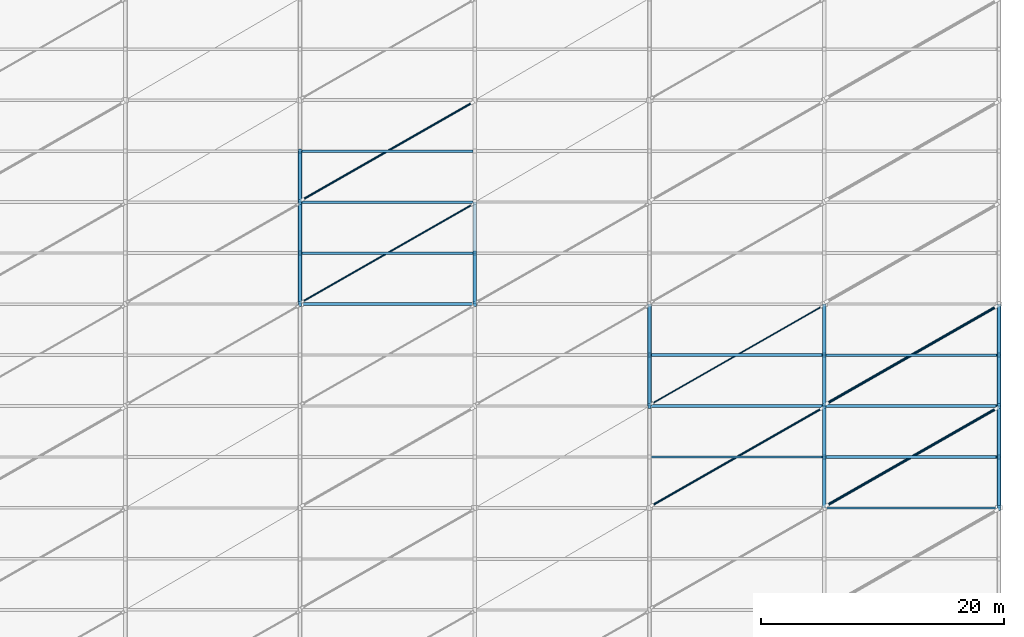
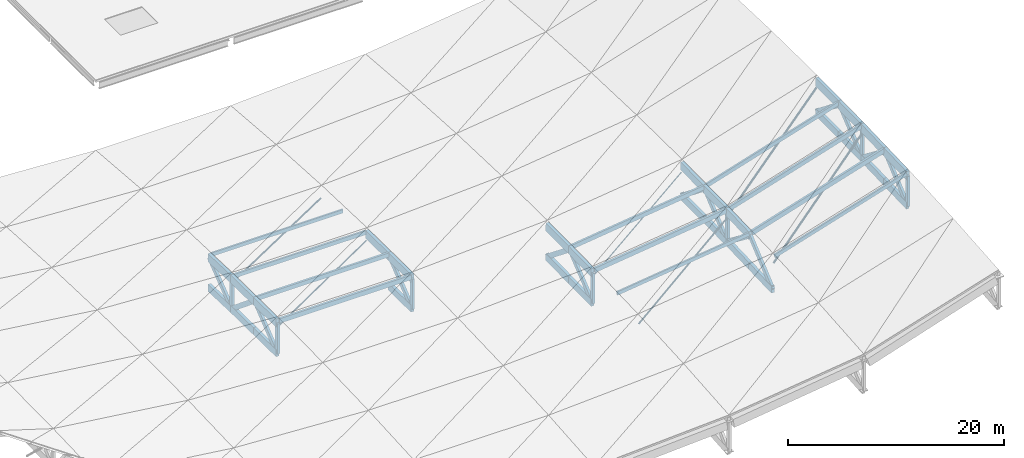
# One storey, part 7 of 22: 38 members, 28 beams.
"""IFC4 building model written with IfcOpenShell, lengths in metres."""

from ifc_helpers import new_model, si_unit, direction, frame, origin, origin_2d, place, context, subcontext, project, spatial, rectangle, hollow_circle, extrude, material, material_profile, profile_set, type_object, element, save


model = new_model("IFC4")

# Units and contexts
model_context = context("Model", 3, precision=1e-05, world=origin(), true_north=direction((0.0, 1.0)))
body_context = subcontext(model_context, "Body", "Model", "MODEL_VIEW")
ifc_project = project(units=[si_unit("LENGTHUNIT", "METRE"), si_unit("AREAUNIT", "SQUARE_METRE"), si_unit("VOLUMEUNIT", "CUBIC_METRE"), si_unit("PLANEANGLEUNIT", "RADIAN"), si_unit("MASSUNIT", "GRAM", prefix="KILO"), si_unit("THERMODYNAMICTEMPERATUREUNIT", "KELVIN")], contexts=[model_context])

# Site, building, storey
site_placement = place(None, origin())
site = spatial("IfcSite", under=ifc_project, at=site_placement, CompositionType="ELEMENT")
building_placement = place(site_placement, origin())
building = spatial("IfcBuilding", under=site, at=building_placement, Name="Nduvali Passage Aquatics Centre", CompositionType="ELEMENT")
storey_placement = place(building_placement, frame((0.0, 0.0, 21.60009765625)))
storey = spatial("IfcBuildingStorey", under=building, at=storey_placement, Name="RF", CompositionType="ELEMENT", Elevation=21.60009765625)

# Beams
ifc_material_1 = material(Name="Glulam GL32c", Category="wood")
ifc_material_profile_1 = material_profile(ifc_material_1, rectangle(XDim=0.320068359375, YDim=0.800048828125, at=origin_2d()), Name="GL32c 320x800")
ifc_profile_set_1 = profile_set([ifc_material_profile_1], Name="Glulam GL32c")
beam_type_1 = type_object("IfcBeamType", Name="STR-BM-GL32-BOT", PredefinedType="BEAM", material=ifc_profile_set_1)
for number, where, z_axis, x_axis, name in (
    (1, (68.39990234375, 58.800048828125, -10.349609375), (0.0, 0.999929005763, -0.011915680183), (-1.0, 0.0, 0.0), "RF Pool Hall Roof Truss Bottom Chord R4 BC1-1791"),
    (2, (68.39990234375, 63.0, -10.399658203125), (0.0, 0.999929005763, -0.011915680183), (-1.0, 0.0, 0.0), "RF Pool Hall Roof Truss Bottom Chord R4 BC1-1793"),
):
    element("IfcBeam", number, at=place(storey_placement, frame(where, z_axis=z_axis, x_axis=x_axis)), inside=storey, type_object=beam_type_1, Name=name, PredefinedType="BEAM", context=body_context, shape_type="SweptSolid", body=[
        extrude(rectangle(XDim=0.320068359375, YDim=0.800048828125, at=origin_2d()), origin(), (0.0, 0.0, 1.0), 4.2001953125),
    ])
beam_1_placement = place(storey_placement, frame((68.39990234375, 67.199951171875, -10.44970703125), z_axis=(0.0, 0.999363668121, -0.035668737559), x_axis=(-1.0, 0.0, 0.0)))
element("IfcBeam", 3, at=beam_1_placement, inside=storey, type_object=beam_type_1, Name="RF Pool Hall Roof Truss Bottom Chord R4 BC1-1795", PredefinedType="BEAM", context=body_context, shape_type="SweptSolid", body=[
    extrude(rectangle(XDim=0.320068359375, YDim=0.800048828125, at=origin_2d()), origin(), (0.0, 0.0, 1.0), 4.20263671875),
])
beam_2_placement = place(storey_placement, frame((82.800048828125, 58.800048828125, -10.349609375), z_axis=(0.0, 0.999929005763, -0.011915680183), x_axis=(-1.0, 0.0, 0.0)))
element("IfcBeam", 4, at=beam_2_placement, inside=storey, type_object=beam_type_1, Name="RF Pool Hall Roof Truss Bottom Chord R5 BC1-1823", PredefinedType="BEAM", context=body_context, shape_type="SweptSolid", body=[
    extrude(rectangle(XDim=0.320068359375, YDim=0.800048828125, at=origin_2d()), origin(), (0.0, 0.0, 1.0), 4.2001953125),
])
beam_3_placement = place(storey_placement, frame((97.199951171875, 50.39990234375, -9.658447265625), z_axis=(0.0, 0.999929014015, 0.01191498767), x_axis=(-1.0, 0.0, 0.0)))
element("IfcBeam", 5, at=beam_3_placement, inside=storey, type_object=beam_type_1, Name="RF Pool Hall Roof Truss Bottom Chord R6 BC1-1851", PredefinedType="BEAM", context=body_context, shape_type="SweptSolid", body=[
    extrude(rectangle(XDim=0.320068359375, YDim=0.800048828125, at=origin_2d()), origin(), (0.0, 0.0, 1.0), 4.200439453125),
])
beam_4_placement = place(storey_placement, frame((97.199951171875, 54.60009765625, -9.6083984375), z_axis=(0.0, 0.999929696627, 0.011857563106), x_axis=(-1.0, 0.0, 0.0)))
element("IfcBeam", 6, at=beam_4_placement, inside=storey, type_object=beam_type_1, Name="RF Pool Hall Roof Truss Bottom Chord R6 BC1-1853", PredefinedType="BEAM", context=body_context, shape_type="SweptSolid", body=[
    extrude(rectangle(XDim=0.320068359375, YDim=0.800048828125, at=origin_2d()), origin(), (0.0, 0.0, 1.0), 4.2001953125),
])
for number, where, z_axis, x_axis, name in (
    (7, (111.60009765625, 42.0, -8.122802734375), (0.0, 0.999363668121, 0.035668737559), (-1.0, 0.0, 0.0), "RF Pool Hall Roof Truss Bottom Chord R7 BC1-1879"),
    (8, (111.60009765625, 46.199951171875, -7.972900390625), (0.0, 0.999361595677, 0.035726755876), (-1.0, 0.0, 0.0), "RF Pool Hall Roof Truss Bottom Chord R7 BC1-1881"),
):
    element("IfcBeam", number, at=place(storey_placement, frame(where, z_axis=z_axis, x_axis=x_axis)), inside=storey, type_object=beam_type_1, Name=name, PredefinedType="BEAM", context=body_context, shape_type="SweptSolid", body=[
        extrude(rectangle(XDim=0.320068359375, YDim=0.800048828125, at=origin_2d()), origin(), (0.0, 0.0, 1.0), 4.20263671875),
    ])
beam_5_placement = place(storey_placement, frame((111.60009765625, 50.39990234375, -7.82275390625), z_axis=(0.0, 0.999929014015, 0.01191498767), x_axis=(-1.0, 0.0, 0.0)))
element("IfcBeam", 9, at=beam_5_placement, inside=storey, type_object=beam_type_1, Name="RF Pool Hall Roof Truss Bottom Chord R7 BC1-1883", PredefinedType="BEAM", context=body_context, shape_type="SweptSolid", body=[
    extrude(rectangle(XDim=0.320068359375, YDim=0.800048828125, at=origin_2d()), origin(), (0.0, 0.0, 1.0), 4.200439453125),
])
beam_6_placement = place(storey_placement, frame((111.60009765625, 54.60009765625, -7.772705078125), z_axis=(0.0, 0.999929696627, 0.011857563106), x_axis=(-1.0, 0.0, 0.0)))
element("IfcBeam", 10, at=beam_6_placement, inside=storey, type_object=beam_type_1, Name="RF Pool Hall Roof Truss Bottom Chord R7 BC1-1885", PredefinedType="BEAM", context=body_context, shape_type="SweptSolid", body=[
    extrude(rectangle(XDim=0.320068359375, YDim=0.800048828125, at=origin_2d()), origin(), (0.0, 0.0, 1.0), 4.2001953125),
])
for number, where, z_axis, x_axis, name in (
    (11, (126.0, 42.0, -3.674072265625), (0.0, 0.999363668121, 0.035668737559), (-1.0, 0.0, 0.0), "RF Pool Hall Roof Truss Bottom Chord R8 BC1-1911"),
    (12, (126.0, 46.199951171875, -3.524169921875), (0.0, 0.999361595677, 0.035726755876), (-1.0, 0.0, 0.0), "RF Pool Hall Roof Truss Bottom Chord R8 BC1-1913"),
):
    element("IfcBeam", number, at=place(storey_placement, frame(where, z_axis=z_axis, x_axis=x_axis)), inside=storey, type_object=beam_type_1, Name=name, PredefinedType="BEAM", context=body_context, shape_type="SweptSolid", body=[
        extrude(rectangle(XDim=0.320068359375, YDim=0.800048828125, at=origin_2d()), origin(), (0.0, 0.0, 1.0), 4.20263671875),
    ])
beam_7_placement = place(storey_placement, frame((126.0, 50.39990234375, -3.3740234375), z_axis=(0.0, 0.999929704799, 0.01185687397), x_axis=(-1.0, 0.0, 0.0)))
element("IfcBeam", 13, at=beam_7_placement, inside=storey, type_object=beam_type_1, Name="RF Pool Hall Roof Truss Bottom Chord R8 BC1-1915", PredefinedType="BEAM", context=body_context, shape_type="SweptSolid", body=[
    extrude(rectangle(XDim=0.320068359375, YDim=0.800048828125, at=origin_2d()), origin(), (0.0, 0.0, 1.0), 4.200439453125),
])
beam_8_placement = place(storey_placement, frame((126.0, 54.60009765625, -3.32421875), z_axis=(0.0, 0.999929005763, 0.011915680183), x_axis=(-1.0, 0.0, 0.0)))
element("IfcBeam", 14, at=beam_8_placement, inside=storey, type_object=beam_type_1, Name="RF Pool Hall Roof Truss Bottom Chord R8 BC1-1917", PredefinedType="BEAM", context=body_context, shape_type="SweptSolid", body=[
    extrude(rectangle(XDim=0.320068359375, YDim=0.800048828125, at=origin_2d()), origin(), (0.0, 0.0, 1.0), 4.2001953125),
])
ifc_material_profile_2 = material_profile(ifc_material_1, rectangle(XDim=0.320068359375, YDim=0.9599609375, at=origin_2d()), Name="GL32c 320x960")
ifc_profile_set_2 = profile_set([ifc_material_profile_2], Name="Glulam GL32c")
beam_type_2 = type_object("IfcBeamType", Name="STR-BM-GL32-END", PredefinedType="BEAM", material=ifc_profile_set_2)
for number, where, z_axis, x_axis, name in (
    (15, (126.0, 42.0, -0.274169921875), (0.0, 0.999361595677, 0.035726755876), (-1.0, 0.0, 0.0), "RF Pool Hall Roof Truss Top Chord R8 TC0-1910"),
    (16, (126.0, 46.199951171875, -0.1240234375), (0.0, 0.999363668121, 0.035668737559), (-1.0, 0.0, 0.0), "RF Pool Hall Roof Truss Top Chord R8 TC0-1912"),
):
    element("IfcBeam", number, at=place(storey_placement, frame(where, z_axis=z_axis, x_axis=x_axis)), inside=storey, type_object=beam_type_2, Name=name, PredefinedType="BEAM", context=body_context, shape_type="SweptSolid", body=[
        extrude(rectangle(XDim=0.320068359375, YDim=0.9599609375, at=origin_2d()), origin(), (0.0, 0.0, 1.0), 4.20263671875),
    ])
beam_9_placement = place(storey_placement, frame((126.0, 50.39990234375, 0.02587890625), z_axis=(0.0, 0.999929014015, 0.01191498767), x_axis=(-1.0, 0.0, 0.0)))
element("IfcBeam", 17, at=beam_9_placement, inside=storey, type_object=beam_type_2, Name="RF Pool Hall Roof Truss Top Chord R8 TC0-1914", PredefinedType="BEAM", context=body_context, shape_type="SweptSolid", body=[
    extrude(rectangle(XDim=0.320068359375, YDim=0.9599609375, at=origin_2d()), origin(), (0.0, 0.0, 1.0), 4.200439453125),
])
beam_10_placement = place(storey_placement, frame((126.0, 54.60009765625, 0.075927734375), z_axis=(0.0, 0.999929005763, 0.011915680183), x_axis=(-1.0, 0.0, 0.0)))
element("IfcBeam", 18, at=beam_10_placement, inside=storey, type_object=beam_type_2, Name="RF Pool Hall Roof Truss Top Chord R8 TC0-1916", PredefinedType="BEAM", context=body_context, shape_type="SweptSolid", body=[
    extrude(rectangle(XDim=0.320068359375, YDim=0.9599609375, at=origin_2d()), origin(), (0.0, 0.0, 1.0), 4.2001953125),
])
ifc_material_profile_3 = material_profile(ifc_material_1, rectangle(XDim=0.320068359375, YDim=0.89990234375, at=origin_2d()), Name="GL32c 320x900")
ifc_profile_set_3 = profile_set([ifc_material_profile_3], Name="Glulam GL32c")
beam_type_3 = type_object("IfcBeamType", Name="STR-BM-GL32-TOP", PredefinedType="BEAM", material=ifc_profile_set_3)
for number, where, z_axis, x_axis, name in (
    (19, (68.39990234375, 58.800048828125, -6.94970703125), (0.0, 0.999929696627, -0.011857563106), (-1.0, 0.0, 0.0), "RF Pool Hall Roof Truss Top Chord R4 TC1-1790"),
    (20, (68.39990234375, 63.0, -6.99951171875), (0.0, 0.999929005763, -0.011915680183), (-1.0, 0.0, 0.0), "RF Pool Hall Roof Truss Top Chord R4 TC1-1792"),
):
    element("IfcBeam", number, at=place(storey_placement, frame(where, z_axis=z_axis, x_axis=x_axis)), inside=storey, type_object=beam_type_3, Name=name, PredefinedType="BEAM", context=body_context, shape_type="SweptSolid", body=[
        extrude(rectangle(XDim=0.320068359375, YDim=0.89990234375, at=origin_2d()), origin(), (0.0, 0.0, 1.0), 4.2001953125),
    ])
beam_11_placement = place(storey_placement, frame((68.39990234375, 67.199951171875, -7.049560546875), z_axis=(0.0, 0.999361595677, -0.035726755876), x_axis=(-1.0, 0.0, 0.0)))
element("IfcBeam", 21, at=beam_11_placement, inside=storey, type_object=beam_type_3, Name="RF Pool Hall Roof Truss Top Chord R4 TC1-1794", PredefinedType="BEAM", context=body_context, shape_type="SweptSolid", body=[
    extrude(rectangle(XDim=0.320068359375, YDim=0.89990234375, at=origin_2d()), origin(), (0.0, 0.0, 1.0), 4.20263671875),
])
for number, where, z_axis, x_axis, name in (
    (22, (82.800048828125, 58.800048828125, -6.94970703125), (0.0, 0.999929696627, -0.011857563106), (-1.0, 0.0, 0.0), "RF Pool Hall Roof Truss Top Chord R5 TC1-1822"),
    (23, (82.800048828125, 63.0, -6.99951171875), (0.0, 0.999929005763, -0.011915680183), (-1.0, 0.0, 0.0), "RF Pool Hall Roof Truss Top Chord R5 TC1-1824"),
):
    element("IfcBeam", number, at=place(storey_placement, frame(where, z_axis=z_axis, x_axis=x_axis)), inside=storey, type_object=beam_type_3, Name=name, PredefinedType="BEAM", context=body_context, shape_type="SweptSolid", body=[
        extrude(rectangle(XDim=0.320068359375, YDim=0.89990234375, at=origin_2d()), origin(), (0.0, 0.0, 1.0), 4.2001953125),
    ])
beam_12_placement = place(storey_placement, frame((97.199951171875, 50.39990234375, -6.258544921875), z_axis=(0.0, 0.999929014015, 0.01191498767), x_axis=(-1.0, 0.0, 0.0)))
element("IfcBeam", 24, at=beam_12_placement, inside=storey, type_object=beam_type_3, Name="RF Pool Hall Roof Truss Top Chord R6 TC1-1850", PredefinedType="BEAM", context=body_context, shape_type="SweptSolid", body=[
    extrude(rectangle(XDim=0.320068359375, YDim=0.89990234375, at=origin_2d()), origin(), (0.0, 0.0, 1.0), 4.200439453125),
])
beam_13_placement = place(storey_placement, frame((97.199951171875, 54.60009765625, -6.20849609375), z_axis=(0.0, 0.999929005763, 0.011915680183), x_axis=(-1.0, 0.0, 0.0)))
element("IfcBeam", 25, at=beam_13_placement, inside=storey, type_object=beam_type_3, Name="RF Pool Hall Roof Truss Top Chord R6 TC1-1852", PredefinedType="BEAM", context=body_context, shape_type="SweptSolid", body=[
    extrude(rectangle(XDim=0.320068359375, YDim=0.89990234375, at=origin_2d()), origin(), (0.0, 0.0, 1.0), 4.2001953125),
])
beam_14_placement = place(storey_placement, frame((111.60009765625, 46.199951171875, -4.57275390625), z_axis=(0.0, 0.999363668121, 0.035668737559), x_axis=(-1.0, 0.0, 0.0)))
element("IfcBeam", 26, at=beam_14_placement, inside=storey, type_object=beam_type_3, Name="RF Pool Hall Roof Truss Top Chord R7 TC1-1880", PredefinedType="BEAM", context=body_context, shape_type="SweptSolid", body=[
    extrude(rectangle(XDim=0.320068359375, YDim=0.89990234375, at=origin_2d()), origin(), (0.0, 0.0, 1.0), 4.20263671875),
])
beam_15_placement = place(storey_placement, frame((111.60009765625, 50.39990234375, -4.4228515625), z_axis=(0.0, 0.999929014015, 0.01191498767), x_axis=(-1.0, 0.0, 0.0)))
element("IfcBeam", 27, at=beam_15_placement, inside=storey, type_object=beam_type_3, Name="RF Pool Hall Roof Truss Top Chord R7 TC1-1882", PredefinedType="BEAM", context=body_context, shape_type="SweptSolid", body=[
    extrude(rectangle(XDim=0.320068359375, YDim=0.89990234375, at=origin_2d()), origin(), (0.0, 0.0, 1.0), 4.200439453125),
])
beam_16_placement = place(storey_placement, frame((111.60009765625, 54.60009765625, -4.372802734375), z_axis=(0.0, 0.999929005763, 0.011915680183), x_axis=(-1.0, 0.0, 0.0)))
element("IfcBeam", 28, at=beam_16_placement, inside=storey, type_object=beam_type_3, Name="RF Pool Hall Roof Truss Top Chord R7 TC1-1884", PredefinedType="BEAM", context=body_context, shape_type="SweptSolid", body=[
    extrude(rectangle(XDim=0.320068359375, YDim=0.89990234375, at=origin_2d()), origin(), (0.0, 0.0, 1.0), 4.2001953125),
])

# Members
ifc_material_2 = material(Name="Steel S355", Category="steel")
ifc_material_profile_4 = material_profile(ifc_material_2, hollow_circle(Radius=0.05712890625, WallThickness=0.00634765625, at=origin_2d()), Name="CHS 114.3x6.3")
ifc_profile_set_4 = profile_set([ifc_material_profile_4], Name="Steel S355")
member_type_1 = type_object("IfcMemberType", Name="STR-MEM-CHS114", PredefinedType="BRACE", material=ifc_profile_set_4)
member_1_placement = place(storey_placement, frame((97.39990234375, 50.60009765625, -6.83642578125), z_axis=(0.862054679034, 0.492602673734, 0.11918194572), x_axis=(-0.496138938357, 0.868243142124, 0.0)))
element("IfcMember", 29, at=member_1_placement, inside=storey, type_object=member_type_1, Name="Pool Hall Roof Wind Brace B6-P4A", PredefinedType="BRACE", context=body_context, shape_type="SweptSolid", body=[
    extrude(hollow_circle(Radius=0.05712890625, WallThickness=0.00634765625, at=origin_2d()), origin(), (0.0, 0.0, 1.0), 16.240234375),
])
ifc_material_profile_5 = material_profile(ifc_material_2, hollow_circle(Radius=0.06982421875, WallThickness=0.00634765625, at=origin_2d()), Name="CHS 139.7x6.3")
ifc_profile_set_5 = profile_set([ifc_material_profile_5], Name="Steel S355")
member_type_2 = type_object("IfcMemberType", Name="STR-MEM-CHS139", PredefinedType="BRACE", material=ifc_profile_set_5)
member_2_placement = place(storey_placement, frame((68.60009765625, 59.0, -7.527587890625), z_axis=(0.868226412997, 0.496129378856, -0.006207673503), x_axis=(-0.496138938357, 0.868243142124, 0.0)))
element("IfcMember", 30, at=member_2_placement, inside=storey, type_object=member_type_2, Name="Pool Hall Roof Wind Brace B4-P5A", PredefinedType="BRACE", context=body_context, shape_type="SweptSolid", body=[
    extrude(hollow_circle(Radius=0.06982421875, WallThickness=0.00634765625, at=origin_2d()), origin(), (0.0, 0.0, 1.0), 16.124755859375),
])
ifc_material_profile_6 = material_profile(ifc_material_2, hollow_circle(Radius=0.084228515625, WallThickness=0.00634765625, at=origin_2d()), Name="CHS 168.3x6.3")
ifc_profile_set_6 = profile_set([ifc_material_profile_6], Name="Steel S355")
member_type_3 = type_object("IfcMemberType", Name="STR-MEM-CHS168", PredefinedType="BRACE", material=ifc_profile_set_6)
member_3_placement = place(storey_placement, frame((68.60009765625, 67.39990234375, -7.627685546875), z_axis=(0.868093103777, 0.496053202159, -0.018589884407), x_axis=(-0.496138938357, 0.868243142124, 0.0)))
element("IfcMember", 31, at=member_3_placement, inside=storey, type_object=member_type_3, Name="Pool Hall Roof Wind Brace B4-P6A", PredefinedType="BRACE", context=body_context, shape_type="SweptSolid", body=[
    extrude(hollow_circle(Radius=0.084228515625, WallThickness=0.00634765625, at=origin_2d()), origin(), (0.0, 0.0, 1.0), 16.127197265625),
])
member_4_placement = place(storey_placement, frame((97.39990234375, 42.199951171875, -7.136474609375), z_axis=(0.860725758333, 0.491843290476, 0.131306308138), x_axis=(-0.496138938357, 0.868243142124, 0.0)))
element("IfcMember", 32, at=member_4_placement, inside=storey, type_object=member_type_3, Name="Pool Hall Roof Wind Brace B6-P3A", PredefinedType="BRACE", context=body_context, shape_type="SweptSolid", body=[
    extrude(hollow_circle(Radius=0.084228515625, WallThickness=0.00634765625, at=origin_2d()), origin(), (0.0, 0.0, 1.0), 16.265380859375),
])
ifc_material_profile_7 = material_profile(ifc_material_2, hollow_circle(Radius=0.109619140625, WallThickness=0.008056640625, at=origin_2d()), Name="CHS 219.1x8.0")
ifc_profile_set_7 = profile_set([ifc_material_profile_7], Name="Steel S355")
member_type_4 = type_object("IfcMemberType", Name="STR-MEM-CHS219", PredefinedType="BRACE", material=ifc_profile_set_7)
member_5_placement = place(storey_placement, frame((111.800048828125, 42.199951171875, -5.30078125), z_axis=(0.832456803693, 0.47568960211, 0.284139177921), x_axis=(-0.496138938357, 0.868243142124, 0.0)))
element("IfcMember", 33, at=member_5_placement, inside=storey, type_object=member_type_4, Name="Pool Hall Roof Wind Brace B7-P3A", PredefinedType="BRACE", context=body_context, shape_type="SweptSolid", body=[
    extrude(hollow_circle(Radius=0.109619140625, WallThickness=0.008056640625, at=origin_2d()), origin(), (0.0, 0.0, 1.0), 16.817626953125),
])
member_6_placement = place(storey_placement, frame((111.800048828125, 50.60009765625, -5.000732421875), z_axis=(0.835223930886, 0.477270817649, 0.273154813055), x_axis=(-0.496138938357, 0.868243142124, 0.0)))
element("IfcMember", 34, at=member_6_placement, inside=storey, type_object=member_type_4, Name="Pool Hall Roof Wind Brace B7-P4A", PredefinedType="BRACE", context=body_context, shape_type="SweptSolid", body=[
    extrude(hollow_circle(Radius=0.109619140625, WallThickness=0.008056640625, at=origin_2d()), origin(), (0.0, 0.0, 1.0), 16.761962890625),
])
ifc_material_3 = material(Name="Glulam GL28h", Category="wood")
ifc_material_profile_8 = material_profile(ifc_material_3, rectangle(XDim=0.260009765625, YDim=0.52001953125, at=origin_2d()), Name="GL28h 260x520")
ifc_profile_set_8 = profile_set([ifc_material_profile_8], Name="Glulam GL28h")
member_type_5 = type_object("IfcMemberType", Name="STR-MEM-GL-DIAG", PredefinedType="CHORD", material=ifc_profile_set_8)
member_7_placement = place(storey_placement, frame((68.39990234375, 58.800048828125, -10.349609375), z_axis=(0.0, 0.781763575378, 0.623574945145), x_axis=(-1.0, 0.0, 0.0)))
element("IfcMember", 35, at=member_7_placement, inside=storey, type_object=member_type_5, Name="Pool Hall Roof Truss Web Diagonal R4-9", PredefinedType="CHORD", context=body_context, shape_type="SweptSolid", body=[
    extrude(rectangle(XDim=0.260009765625, YDim=0.52001953125, at=origin_2d()), origin(), (0.0, 0.0, 1.0), 5.372314453125),
])
member_8_placement = place(storey_placement, frame((68.39990234375, 63.0, -6.99951171875), z_axis=(0.0, 0.772705010087, -0.634765285273), x_axis=(-1.0, 0.0, 0.0)))
element("IfcMember", 36, at=member_8_placement, inside=storey, type_object=member_type_5, Name="Pool Hall Roof Truss Web Diagonal R4-10", PredefinedType="CHORD", context=body_context, shape_type="SweptSolid", body=[
    extrude(rectangle(XDim=0.260009765625, YDim=0.52001953125, at=origin_2d()), origin(), (0.0, 0.0, 1.0), 5.435302734375),
])
member_9_placement = place(storey_placement, frame((68.39990234375, 67.199951171875, -10.44970703125), z_axis=(0.0, 0.790867256885, 0.611987730259), x_axis=(-1.0, 0.0, 0.0)))
element("IfcMember", 37, at=member_9_placement, inside=storey, type_object=member_type_5, Name="Pool Hall Roof Truss Web Diagonal R4-11", PredefinedType="CHORD", context=body_context, shape_type="SweptSolid", body=[
    extrude(rectangle(XDim=0.260009765625, YDim=0.52001953125, at=origin_2d()), origin(), (0.0, 0.0, 1.0), 5.310546875),
])
member_10_placement = place(storey_placement, frame((82.800048828125, 58.800048828125, -10.349609375), z_axis=(0.0, 0.781763575378, 0.623574945145), x_axis=(-1.0, 0.0, 0.0)))
element("IfcMember", 38, at=member_10_placement, inside=storey, type_object=member_type_5, Name="Pool Hall Roof Truss Web Diagonal R5-9", PredefinedType="CHORD", context=body_context, shape_type="SweptSolid", body=[
    extrude(rectangle(XDim=0.260009765625, YDim=0.52001953125, at=origin_2d()), origin(), (0.0, 0.0, 1.0), 5.372314453125),
])
member_11_placement = place(storey_placement, frame((97.199951171875, 50.39990234375, -9.658447265625), z_axis=(0.0, 0.772745137627, 0.634716434539), x_axis=(-1.0, 0.0, 0.0)))
element("IfcMember", 39, at=member_11_placement, inside=storey, type_object=member_type_5, Name="Pool Hall Roof Truss Web Diagonal R6-7", PredefinedType="CHORD", context=body_context, shape_type="SweptSolid", body=[
    extrude(rectangle(XDim=0.260009765625, YDim=0.52001953125, at=origin_2d()), origin(), (0.0, 0.0, 1.0), 5.435302734375),
])
member_12_placement = place(storey_placement, frame((97.199951171875, 54.60009765625, -6.20849609375), z_axis=(0.0, 0.781763575378, -0.623574945145), x_axis=(-1.0, 0.0, 0.0)))
element("IfcMember", 40, at=member_12_placement, inside=storey, type_object=member_type_5, Name="Pool Hall Roof Truss Web Diagonal R6-8", PredefinedType="CHORD", context=body_context, shape_type="SweptSolid", body=[
    extrude(rectangle(XDim=0.260009765625, YDim=0.52001953125, at=origin_2d()), origin(), (0.0, 0.0, 1.0), 5.372314453125),
])
member_13_placement = place(storey_placement, frame((111.60009765625, 42.0, -8.122802734375), z_axis=(0.0, 0.763722969403, 0.645544131726), x_axis=(-1.0, 0.0, 0.0)))
element("IfcMember", 41, at=member_13_placement, inside=storey, type_object=member_type_5, Name="Pool Hall Roof Truss Web Diagonal R7-5", PredefinedType="CHORD", context=body_context, shape_type="SweptSolid", body=[
    extrude(rectangle(XDim=0.260009765625, YDim=0.52001953125, at=origin_2d()), origin(), (0.0, 0.0, 1.0), 5.499267578125),
])
member_14_placement = place(storey_placement, frame((111.60009765625, 46.199951171875, -4.57275390625), z_axis=(0.0, 0.790867256885, -0.611987730259), x_axis=(-1.0, 0.0, 0.0)))
element("IfcMember", 42, at=member_14_placement, inside=storey, type_object=member_type_5, Name="Pool Hall Roof Truss Web Diagonal R7-6", PredefinedType="CHORD", context=body_context, shape_type="SweptSolid", body=[
    extrude(rectangle(XDim=0.260009765625, YDim=0.52001953125, at=origin_2d()), origin(), (0.0, 0.0, 1.0), 5.310546875),
])
member_15_placement = place(storey_placement, frame((111.60009765625, 50.39990234375, -7.82275390625), z_axis=(0.0, 0.772745137627, 0.634716434539), x_axis=(-1.0, 0.0, 0.0)))
element("IfcMember", 43, at=member_15_placement, inside=storey, type_object=member_type_5, Name="Pool Hall Roof Truss Web Diagonal R7-7", PredefinedType="CHORD", context=body_context, shape_type="SweptSolid", body=[
    extrude(rectangle(XDim=0.260009765625, YDim=0.52001953125, at=origin_2d()), origin(), (0.0, 0.0, 1.0), 5.435302734375),
])
member_16_placement = place(storey_placement, frame((111.60009765625, 54.60009765625, -4.372802734375), z_axis=(0.0, 0.781763575378, -0.623574945145), x_axis=(-1.0, 0.0, 0.0)))
element("IfcMember", 44, at=member_16_placement, inside=storey, type_object=member_type_5, Name="Pool Hall Roof Truss Web Diagonal R7-8", PredefinedType="CHORD", context=body_context, shape_type="SweptSolid", body=[
    extrude(rectangle(XDim=0.260009765625, YDim=0.52001953125, at=origin_2d()), origin(), (0.0, 0.0, 1.0), 5.372314453125),
])
member_17_placement = place(storey_placement, frame((126.0, 42.0, -3.674072265625), z_axis=(0.0, 0.763722969403, 0.645544131726), x_axis=(-1.0, 0.0, 0.0)))
element("IfcMember", 45, at=member_17_placement, inside=storey, type_object=member_type_5, Name="Pool Hall Roof Truss Web Diagonal R8-5", PredefinedType="CHORD", context=body_context, shape_type="SweptSolid", body=[
    extrude(rectangle(XDim=0.260009765625, YDim=0.52001953125, at=origin_2d()), origin(), (0.0, 0.0, 1.0), 5.499267578125),
])
member_18_placement = place(storey_placement, frame((126.0, 46.199951171875, -0.1240234375), z_axis=(0.0, 0.790867256885, -0.611987730259), x_axis=(-1.0, 0.0, 0.0)))
element("IfcMember", 46, at=member_18_placement, inside=storey, type_object=member_type_5, Name="Pool Hall Roof Truss Web Diagonal R8-6", PredefinedType="CHORD", context=body_context, shape_type="SweptSolid", body=[
    extrude(rectangle(XDim=0.260009765625, YDim=0.52001953125, at=origin_2d()), origin(), (0.0, 0.0, 1.0), 5.310546875),
])
member_19_placement = place(storey_placement, frame((126.0, 50.39990234375, -3.3740234375), z_axis=(0.0, 0.772745137627, 0.634716434539), x_axis=(-1.0, 0.0, 0.0)))
element("IfcMember", 47, at=member_19_placement, inside=storey, type_object=member_type_5, Name="Pool Hall Roof Truss Web Diagonal R8-7", PredefinedType="CHORD", context=body_context, shape_type="SweptSolid", body=[
    extrude(rectangle(XDim=0.260009765625, YDim=0.52001953125, at=origin_2d()), origin(), (0.0, 0.0, 1.0), 5.435302734375),
])
member_20_placement = place(storey_placement, frame((126.0, 54.60009765625, 0.075927734375), z_axis=(0.0, 0.781763575378, -0.623574945145), x_axis=(-1.0, 0.0, 0.0)))
element("IfcMember", 48, at=member_20_placement, inside=storey, type_object=member_type_5, Name="Pool Hall Roof Truss Web Diagonal R8-8", PredefinedType="CHORD", context=body_context, shape_type="SweptSolid", body=[
    extrude(rectangle(XDim=0.260009765625, YDim=0.52001953125, at=origin_2d()), origin(), (0.0, 0.0, 1.0), 5.372314453125),
])
ifc_material_profile_9 = material_profile(ifc_material_3, rectangle(XDim=0.179931640625, YDim=0.39990234375, at=origin_2d()), Name="GL28h 180x400")
ifc_profile_set_9 = profile_set([ifc_material_profile_9], Name="Glulam GL28h")
member_type_6 = type_object("IfcMemberType", Name="STR-MEM-GL-PUR1", PredefinedType="PURLIN", material=ifc_profile_set_9)
member_21_placement = place(storey_placement, frame((68.56005859375, 71.39990234375, -6.942626953125), z_axis=(1.0, 0.0, 0.0), x_axis=(0.0, 1.0, 0.0)))
element("IfcMember", 49, at=member_21_placement, inside=storey, type_object=member_type_6, Name="Pool Hall Saddle Roof Purlin B4-11", PredefinedType="PURLIN", context=body_context, shape_type="SweptSolid", body=[
    extrude(rectangle(XDim=0.179931640625, YDim=0.39990234375, at=origin_2d()), origin(), (0.0, 0.0, 1.0), 14.079833984375),
])
member_22_placement = place(storey_placement, frame((97.360107421875, 46.199951171875, -6.131103515625), z_axis=(0.991971922076, 0.0, 0.126458316504), x_axis=(0.0, 1.0, 0.0)))
element("IfcMember", 50, at=member_22_placement, inside=storey, type_object=member_type_6, Name="Pool Hall Saddle Roof Purlin B6-5", PredefinedType="PURLIN", context=body_context, shape_type="SweptSolid", body=[
    extrude(rectangle(XDim=0.179931640625, YDim=0.39990234375, at=origin_2d()), origin(), (0.0, 0.0, 1.0), 14.19384765625),
])
member_23_placement = place(storey_placement, frame((111.760009765625, 42.0, -4.416015625), z_axis=(0.954882134092, 0.0, 0.296985033278), x_axis=(0.0, 1.0, 0.0)))
element("IfcMember", 51, at=member_23_placement, inside=storey, type_object=member_type_6, Name="Pool Hall Saddle Roof Purlin B7-4", PredefinedType="PURLIN", context=body_context, shape_type="SweptSolid", body=[
    extrude(rectangle(XDim=0.179931640625, YDim=0.39990234375, at=origin_2d()), origin(), (0.0, 0.0, 1.0), 14.745361328125),
])
ifc_material_profile_10 = material_profile(ifc_material_3, rectangle(XDim=0.219970703125, YDim=0.47998046875, at=origin_2d()), Name="GL28h 220x480")
ifc_profile_set_10 = profile_set([ifc_material_profile_10], Name="Glulam GL28h")
member_type_7 = type_object("IfcMemberType", Name="STR-MEM-GL-PUR3", PredefinedType="PURLIN", material=ifc_profile_set_10)
member_24_placement = place(storey_placement, frame((68.56005859375, 63.0, -6.78271484375), z_axis=(1.0, 0.0, 0.0), x_axis=(0.0, 1.0, 0.0)))
element("IfcMember", 52, at=member_24_placement, inside=storey, type_object=member_type_7, Name="Pool Hall Saddle Roof Purlin B4-9", PredefinedType="PURLIN", context=body_context, shape_type="SweptSolid", body=[
    extrude(rectangle(XDim=0.219970703125, YDim=0.47998046875, at=origin_2d()), origin(), (0.0, 0.0, 1.0), 14.079833984375),
])
member_25_placement = place(storey_placement, frame((97.360107421875, 54.60009765625, -5.97119140625), z_axis=(0.991971922076, 0.0, 0.126458316504), x_axis=(0.0, 1.0, 0.0)))
element("IfcMember", 53, at=member_25_placement, inside=storey, type_object=member_type_7, Name="Pool Hall Saddle Roof Purlin B6-7", PredefinedType="PURLIN", context=body_context, shape_type="SweptSolid", body=[
    extrude(rectangle(XDim=0.219970703125, YDim=0.47998046875, at=origin_2d()), origin(), (0.0, 0.0, 1.0), 14.19384765625),
])
member_26_placement = place(storey_placement, frame((111.760009765625, 50.39990234375, -4.156005859375), z_axis=(0.954882134092, 0.0, 0.296985033278), x_axis=(0.0, 1.0, 0.0)))
element("IfcMember", 54, at=member_26_placement, inside=storey, type_object=member_type_7, Name="Pool Hall Saddle Roof Purlin B7-6", PredefinedType="PURLIN", context=body_context, shape_type="SweptSolid", body=[
    extrude(rectangle(XDim=0.219970703125, YDim=0.47998046875, at=origin_2d()), origin(), (0.0, 0.0, 1.0), 14.745361328125),
])
ifc_material_profile_11 = material_profile(ifc_material_3, rectangle(XDim=0.199951171875, YDim=0.43994140625, at=origin_2d()), Name="GL28h 200x440")
ifc_profile_set_11 = profile_set([ifc_material_profile_11], Name="Glulam GL28h")
member_type_8 = type_object("IfcMemberType", Name="STR-MEM-GL-PUR4", PredefinedType="PURLIN", material=ifc_profile_set_11)
member_27_placement = place(storey_placement, frame((68.56005859375, 67.199951171875, -6.8125), z_axis=(1.0, 0.0, 0.0), x_axis=(0.0, 1.0, 0.0)))
element("IfcMember", 55, at=member_27_placement, inside=storey, type_object=member_type_8, Name="Pool Hall Saddle Roof Purlin B4-10", PredefinedType="PURLIN", context=body_context, shape_type="SweptSolid", body=[
    extrude(rectangle(XDim=0.199951171875, YDim=0.43994140625, at=origin_2d()), origin(), (0.0, 0.0, 1.0), 14.079833984375),
])
member_28_placement = place(storey_placement, frame((111.760009765625, 54.60009765625, -4.0859375), z_axis=(0.954882134092, 0.0, 0.296985033278), x_axis=(0.0, 1.0, 0.0)))
element("IfcMember", 56, at=member_28_placement, inside=storey, type_object=member_type_8, Name="Pool Hall Saddle Roof Purlin B7-7", PredefinedType="PURLIN", context=body_context, shape_type="SweptSolid", body=[
    extrude(rectangle(XDim=0.199951171875, YDim=0.43994140625, at=origin_2d()), origin(), (0.0, 0.0, 1.0), 14.745361328125),
])
ifc_material_profile_12 = material_profile(ifc_material_3, rectangle(XDim=0.239990234375, YDim=0.52001953125, at=origin_2d()), Name="GL28h 240x520")
ifc_profile_set_12 = profile_set([ifc_material_profile_12], Name="Glulam GL28h")
member_type_9 = type_object("IfcMemberType", Name="STR-MEM-GL-PUR5", PredefinedType="PURLIN", material=ifc_profile_set_12)
member_29_placement = place(storey_placement, frame((68.56005859375, 58.800048828125, -6.752685546875), z_axis=(1.0, 0.0, 0.0), x_axis=(0.0, 1.0, 0.0)))
element("IfcMember", 57, at=member_29_placement, inside=storey, type_object=member_type_9, Name="Pool Hall Saddle Roof Purlin B4-8", PredefinedType="PURLIN", context=body_context, shape_type="SweptSolid", body=[
    extrude(rectangle(XDim=0.239990234375, YDim=0.52001953125, at=origin_2d()), origin(), (0.0, 0.0, 1.0), 14.079833984375),
])
member_30_placement = place(storey_placement, frame((97.360107421875, 50.39990234375, -6.041015625), z_axis=(0.991971922076, 0.0, 0.126458316504), x_axis=(0.0, 1.0, 0.0)))
element("IfcMember", 58, at=member_30_placement, inside=storey, type_object=member_type_9, Name="Pool Hall Saddle Roof Purlin B6-6", PredefinedType="PURLIN", context=body_context, shape_type="SweptSolid", body=[
    extrude(rectangle(XDim=0.239990234375, YDim=0.52001953125, at=origin_2d()), origin(), (0.0, 0.0, 1.0), 14.19384765625),
])
member_31_placement = place(storey_placement, frame((111.760009765625, 46.199951171875, -4.325927734375), z_axis=(0.954882134092, 0.0, 0.296985033278), x_axis=(0.0, 1.0, 0.0)))
element("IfcMember", 59, at=member_31_placement, inside=storey, type_object=member_type_9, Name="Pool Hall Saddle Roof Purlin B7-5", PredefinedType="PURLIN", context=body_context, shape_type="SweptSolid", body=[
    extrude(rectangle(XDim=0.239990234375, YDim=0.52001953125, at=origin_2d()), origin(), (0.0, 0.0, 1.0), 14.745361328125),
])
ifc_material_profile_13 = material_profile(ifc_material_3, rectangle(XDim=0.260009765625, YDim=0.419921875, at=origin_2d()), Name="GL28h 260x420")
ifc_profile_set_13 = profile_set([ifc_material_profile_13], Name="Glulam GL28h")
member_type_10 = type_object("IfcMemberType", Name="STR-MEM-GL-VERT", PredefinedType="STRUT", material=ifc_profile_set_13)
member_32_placement = place(storey_placement, frame((68.39990234375, 58.800048828125, -10.349609375), z_axis=(0.0, 0.0, 1.0), x_axis=(1.0, 0.0, 0.0)))
element("IfcMember", 60, at=member_32_placement, inside=storey, type_object=member_type_10, Name="Pool Hall Roof Truss Vertical Strut R4-5", PredefinedType="STRUT", context=body_context, shape_type="SweptSolid", body=[
    extrude(rectangle(XDim=0.260009765625, YDim=0.419921875, at=origin_2d()), origin(), (0.0, 0.0, 1.0), 3.39990234375),
])
member_33_placement = place(storey_placement, frame((68.39990234375, 67.199951171875, -10.44970703125), z_axis=(0.0, 0.0, 1.0), x_axis=(1.0, 0.0, 0.0)))
element("IfcMember", 61, at=member_33_placement, inside=storey, type_object=member_type_10, Name="Pool Hall Roof Truss Vertical Strut R4-6", PredefinedType="STRUT", context=body_context, shape_type="SweptSolid", body=[
    extrude(rectangle(XDim=0.260009765625, YDim=0.419921875, at=origin_2d()), origin(), (0.0, 0.0, 1.0), 3.400146484375),
])
for number, where, z_axis, x_axis, name in (
    (62, (82.800048828125, 58.800048828125, -10.349609375), (0.0, 0.0, 1.0), (1.0, 0.0, 0.0), "Pool Hall Roof Truss Vertical Strut R5-5"),
    (63, (97.199951171875, 50.39990234375, -9.658447265625), (0.0, 0.0, 1.0), (1.0, 0.0, 0.0), "Pool Hall Roof Truss Vertical Strut R6-4"),
    (64, (111.60009765625, 50.39990234375, -7.82275390625), (0.0, 0.0, 1.0), (1.0, 0.0, 0.0), "Pool Hall Roof Truss Vertical Strut R7-4"),
    (65, (126.0, 42.0, -3.674072265625), (0.0, 0.0, 1.0), (1.0, 0.0, 0.0), "Pool Hall Roof Truss Vertical Strut R8-3"),
    (66, (126.0, 50.39990234375, -3.3740234375), (0.0, 0.0, 1.0), (1.0, 0.0, 0.0), "Pool Hall Roof Truss Vertical Strut R8-4"),
):
    element("IfcMember", number, at=place(storey_placement, frame(where, z_axis=z_axis, x_axis=x_axis)), inside=storey, type_object=member_type_10, Name=name, PredefinedType="STRUT", context=body_context, shape_type="SweptSolid", body=[
        extrude(rectangle(XDim=0.260009765625, YDim=0.419921875, at=origin_2d()), origin(), (0.0, 0.0, 1.0), 3.39990234375),
    ])

save(model, "model.ifc")
